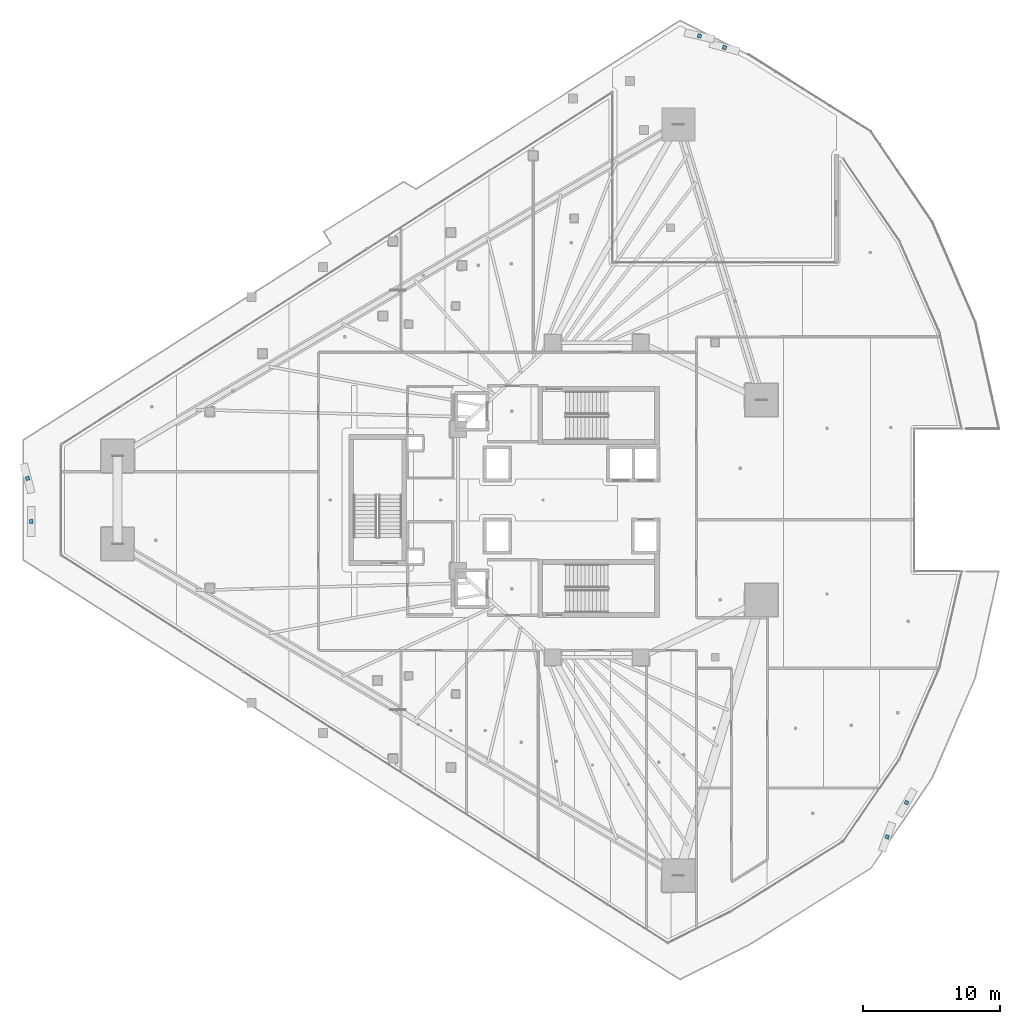
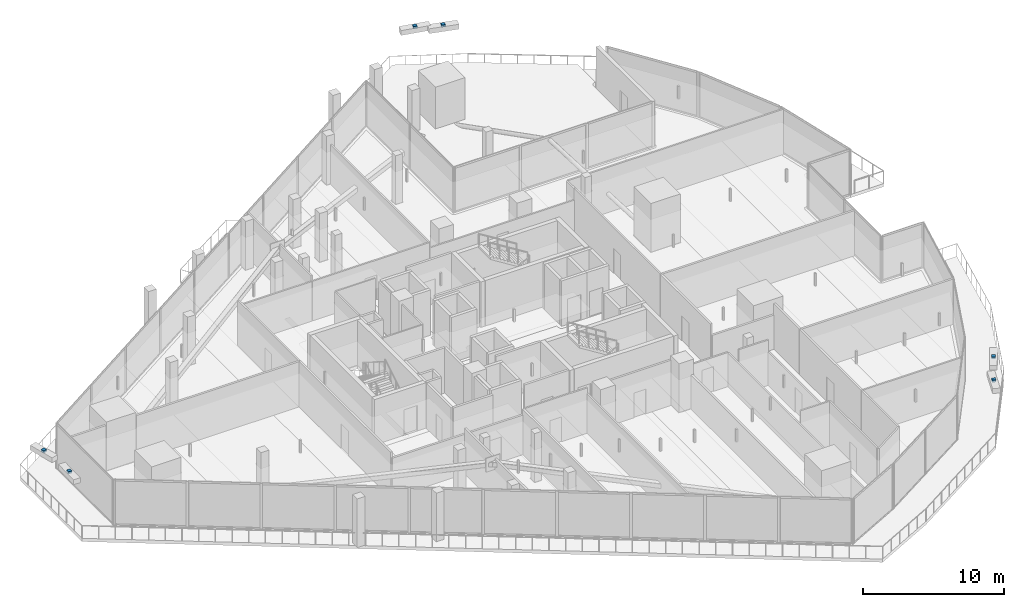
# One storey, part 38 of 47: 6 discrete accessories.
"""IFC4 building model written with IfcOpenShell, lengths in metres."""

from ifc_helpers import new_model, si_unit, direction, frame, origin, origin_2d, place, context, subcontext, project, spatial, rectangle, extrude, material, type_object, element, save


model = new_model("IFC4")

# Units and contexts
model_context = context("Model", 3, precision=1e-05, world=origin(), true_north=direction((0.0, 1.0)))
body_context = subcontext(model_context, "Body", "Model", "MODEL_VIEW")
ifc_project = project(units=[si_unit("LENGTHUNIT", "METRE"), si_unit("AREAUNIT", "SQUARE_METRE"), si_unit("VOLUMEUNIT", "CUBIC_METRE"), si_unit("PLANEANGLEUNIT", "RADIAN"), si_unit("MASSUNIT", "GRAM", prefix="KILO")], contexts=[model_context])

# Site, building, storey
site_placement = place(None, origin())
site = spatial("IfcSite", under=ifc_project, at=site_placement, CompositionType="ELEMENT")
building_placement = place(site_placement, origin())
building = spatial("IfcBuilding", under=site, at=building_placement, Name="Qorvath Tower", CompositionType="ELEMENT")
storey_placement = place(building_placement, frame((0.0, 0.0, 74.39990234375)))
storey = spatial("IfcBuildingStorey", under=building, at=storey_placement, Name="L16", CompositionType="ELEMENT", Elevation=74.39990234375)

# Discrete accessories
ifc_material = material(Name="Galvanised steel bracket", Category="steel")
discrete_accessory_type = type_object("IfcDiscreteAccessoryType", Name="DA-BRACKET", PredefinedType="BRACKET", material=ifc_material)
for number, where, z_axis, x_axis, name in (
    (1, (-61.839111328125, 1.571044921875, 3.7802734375), (0.0, 0.0, 1.0), (0.256216829888, -0.966619333596, 0.0), "Louvre Wave Support Bracket L16-01"),
    (2, (-61.572021484375, -1.571044921875, 3.7802734375), (0.0, 0.0, 1.0), (-0.012646318649, -0.999920032115, 0.0), "Louvre Wave Support Bracket L16-02"),
    (3, (0.720703125, -24.515869140625, 3.7802734375), (0.0, 0.0, 1.0), (0.337407443338, 0.941358708028, 0.0), "Louvre Wave Support Bracket L16-03"),
    (4, (2.13720703125, -22.023681640625, 3.7802734375), (0.0, 0.0, 1.0), (0.505422456771, 0.862872030021, 0.0), "Louvre Wave Support Bracket L16-04"),
    (5, (-11.1142578125, 32.930419921875, 3.7802734375), (0.0, 0.0, 1.0), (-0.965086931006, 0.26192979136, 0.0), "Louvre Wave Support Bracket L16-05"),
    (6, (-12.936767578125, 33.773681640625, 3.7802734375), (0.0, 0.0, 1.0), (-0.974956033643, 0.22239768988, 0.0), "Louvre Wave Support Bracket L16-06"),
):
    element("IfcDiscreteAccessory", number, at=place(storey_placement, frame(where, z_axis=z_axis, x_axis=x_axis)), inside=storey, type_object=discrete_accessory_type, Name=name, PredefinedType="NOTDEFINED", context=body_context, shape_type="SweptSolid", body=[
        extrude(rectangle(XDim=0.280029296875, YDim=0.280029296875, at=origin_2d()), origin(), (0.0, 0.0, 1.0), 0.199951171875),
    ])

save(model, "model.ifc")
